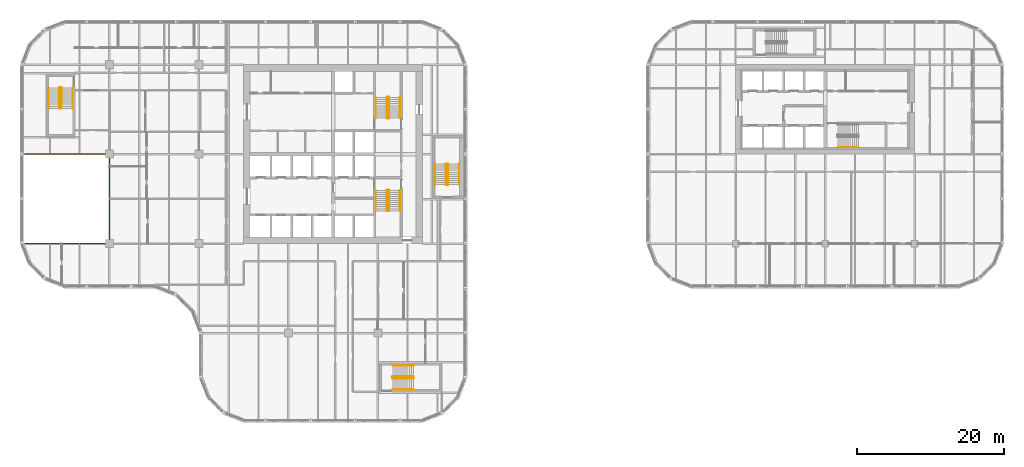
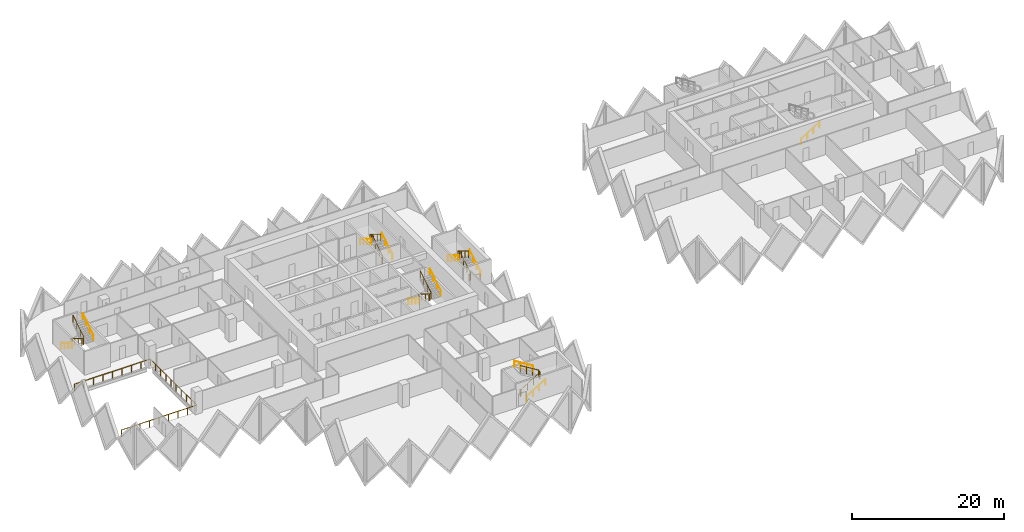
# One storey, part 17 of 18: 17 railings.
"""IFC4 building model written with IfcOpenShell, lengths in metres."""

from ifc_helpers import new_model, si_unit, direction, frame, origin, origin_2d, place, context, subcontext, project, spatial, circle, extrude, material, type_object, element, save


model = new_model("IFC4")

# Units and contexts
model_context = context("Model", 3, precision=1e-05, world=origin(), true_north=direction((0.0, 1.0)))
body_context = subcontext(model_context, "Body", "Model", "MODEL_VIEW")
ifc_project = project(units=[si_unit("LENGTHUNIT", "METRE"), si_unit("AREAUNIT", "SQUARE_METRE"), si_unit("VOLUMEUNIT", "CUBIC_METRE"), si_unit("PLANEANGLEUNIT", "RADIAN"), si_unit("MASSUNIT", "GRAM", prefix="KILO")], contexts=[model_context])

# Site, building, storey
site_placement = place(None, origin())
site = spatial("IfcSite", under=ifc_project, at=site_placement, CompositionType="ELEMENT")
building_placement = place(site_placement, origin())
building = spatial("IfcBuilding", under=site, at=building_placement, Name="Tessera Gate Towers", CompositionType="ELEMENT")
storey_placement = place(building_placement, frame((0.0, 0.0, 56.199951171875)))
storey = spatial("IfcBuildingStorey", under=building, at=storey_placement, Name="L13", CompositionType="ELEMENT", Elevation=56.199951171875)

# Railings
ifc_material_1 = material(Name="Toughened glass with stainless steel handrail", Category="steel")
railing_type_1 = type_object("IfcRailingType", Name="GUARD 1100 GLASS BALUSTRADE", PredefinedType="GUARDRAIL", material=ifc_material_1)
railing_1_placement = place(storey_placement, frame((0.750244140625, 24.39990234375, 0.0)))
element("IfcRailing", 1, at=railing_1_placement, inside=storey, type_object=railing_type_1, Name="Guard", PredefinedType="GUARDRAIL", context=body_context, shape_type="SweptSolid", body=[
    extrude(circle(Radius=0.02490234375, at=origin_2d()), frame((0.0, 0.0, 1.0751953125), z_axis=(1.0, 0.0, 0.0), x_axis=(0.0, 1.0, 0.0)), (0.0, 0.0, 1.0), 11.44970703125),
    extrude(circle(Radius=0.02490234375, at=origin_2d()), frame((11.44970703125, 0.0, 1.0751953125), z_axis=(0.0, 1.0, 0.0), x_axis=(-1.0, 0.0, 0.0)), (0.0, 0.0, 1.0), 12.2001953125),
    extrude(circle(Radius=0.02490234375, at=origin_2d()), frame((11.44970703125, 12.2001953125, 1.0751953125), z_axis=(-1.0, 0.0, 0.0), x_axis=(0.0, -1.0, 0.0)), (0.0, 0.0, 1.0), 11.5),
    extrude(circle(Radius=0.02490234375, at=origin_2d()), origin(), (0.0, 0.0, 1.0), 1.050048828125),
    extrude(circle(Radius=0.02490234375, at=origin_2d()), frame((1.43115234375, 0.0, 0.0)), (0.0, 0.0, 1.0), 1.050048828125),
    extrude(circle(Radius=0.02490234375, at=origin_2d()), frame((2.8623046875, 0.0, 0.0)), (0.0, 0.0, 1.0), 1.050048828125),
    extrude(circle(Radius=0.02490234375, at=origin_2d()), frame((4.293701171875, 0.0, 0.0)), (0.0, 0.0, 1.0), 1.050048828125),
    extrude(circle(Radius=0.02490234375, at=origin_2d()), frame((5.724853515625, 0.0, 0.0)), (0.0, 0.0, 1.0), 1.050048828125),
    extrude(circle(Radius=0.02490234375, at=origin_2d()), frame((7.156005859375, 0.0, 0.0)), (0.0, 0.0, 1.0), 1.050048828125),
    extrude(circle(Radius=0.02490234375, at=origin_2d()), frame((8.58740234375, 0.0, 0.0)), (0.0, 0.0, 1.0), 1.050048828125),
    extrude(circle(Radius=0.02490234375, at=origin_2d()), frame((10.0185546875, 0.0, 0.0)), (0.0, 0.0, 1.0), 1.050048828125),
    extrude(circle(Radius=0.02490234375, at=origin_2d()), frame((11.44970703125, 0.0, 0.0)), (0.0, 0.0, 1.0), 1.050048828125),
    extrude(circle(Radius=0.02490234375, at=origin_2d()), frame((11.44970703125, 1.35546875, 0.0)), (0.0, 0.0, 1.0), 1.050048828125),
    extrude(circle(Radius=0.02490234375, at=origin_2d()), frame((11.44970703125, 2.711181640625, 0.0)), (0.0, 0.0, 1.0), 1.050048828125),
    extrude(circle(Radius=0.02490234375, at=origin_2d()), frame((11.44970703125, 4.066650390625, 0.0)), (0.0, 0.0, 1.0), 1.050048828125),
    extrude(circle(Radius=0.02490234375, at=origin_2d()), frame((11.44970703125, 5.42236328125, 0.0)), (0.0, 0.0, 1.0), 1.050048828125),
    extrude(circle(Radius=0.02490234375, at=origin_2d()), frame((11.44970703125, 6.77783203125, 0.0)), (0.0, 0.0, 1.0), 1.050048828125),
    extrude(circle(Radius=0.02490234375, at=origin_2d()), frame((11.44970703125, 8.133544921875, 0.0)), (0.0, 0.0, 1.0), 1.050048828125),
    extrude(circle(Radius=0.02490234375, at=origin_2d()), frame((11.44970703125, 9.489013671875, 0.0)), (0.0, 0.0, 1.0), 1.050048828125),
    extrude(circle(Radius=0.02490234375, at=origin_2d()), frame((11.44970703125, 10.8447265625, 0.0)), (0.0, 0.0, 1.0), 1.050048828125),
    extrude(circle(Radius=0.02490234375, at=origin_2d()), frame((11.44970703125, 12.2001953125, 0.0)), (0.0, 0.0, 1.0), 1.050048828125),
    extrude(circle(Radius=0.02490234375, at=origin_2d()), frame((10.01220703125, 12.2001953125, 0.0)), (0.0, 0.0, 1.0), 1.050048828125),
    extrude(circle(Radius=0.02490234375, at=origin_2d()), frame((8.57470703125, 12.2001953125, 0.0)), (0.0, 0.0, 1.0), 1.050048828125),
    extrude(circle(Radius=0.02490234375, at=origin_2d()), frame((7.13720703125, 12.2001953125, 0.0)), (0.0, 0.0, 1.0), 1.050048828125),
    extrude(circle(Radius=0.02490234375, at=origin_2d()), frame((5.69970703125, 12.2001953125, 0.0)), (0.0, 0.0, 1.0), 1.050048828125),
    extrude(circle(Radius=0.02490234375, at=origin_2d()), frame((4.26220703125, 12.2001953125, 0.0)), (0.0, 0.0, 1.0), 1.050048828125),
    extrude(circle(Radius=0.02490234375, at=origin_2d()), frame((2.82470703125, 12.2001953125, 0.0)), (0.0, 0.0, 1.0), 1.050048828125),
    extrude(circle(Radius=0.02490234375, at=origin_2d()), frame((1.38720703125, 12.2001953125, 0.0)), (0.0, 0.0, 1.0), 1.050048828125),
    extrude(circle(Radius=0.02490234375, at=origin_2d()), frame((-0.05029296875, 12.2001953125, 0.0)), (0.0, 0.0, 1.0), 1.050048828125),
])
ifc_material_2 = material(Name="Steel 350W", Category="steel")
railing_type_2 = type_object("IfcRailingType", Name="STAIR GUARD 1100", PredefinedType="GUARDRAIL", material=ifc_material_2)
railing_2_placement = place(storey_placement, frame((50.27490234375, 31.72509765625, 0.0)))
element("IfcRailing", 2, at=railing_2_placement, inside=storey, type_object=railing_type_2, Name="L13 ST1 stair guard 1", PredefinedType="GUARDRAIL", context=body_context, shape_type="SweptSolid", body=[
    extrude(circle(Radius=0.02392578125, at=origin_2d()), frame((0.0, 0.0, 1.076171875), z_axis=(-1.0, 0.0, 0.0), x_axis=(0.0, -1.0, 0.0)), (0.0, 0.0, 1.0), 0.199951171875),
    extrude(circle(Radius=0.02392578125, at=origin_2d()), frame((-0.199951171875, 0.0, 1.076171875), z_axis=(-0.267953482034, -0.267953482034, 0.925419830635), x_axis=(0.707106781187, -0.707106781187, 0.0)), (0.0, 0.0, 1.0), 0.186767578125),
    extrude(circle(Radius=0.02392578125, at=origin_2d()), frame((-0.25, -0.050048828125, 1.2490234375), z_axis=(0.0, -0.851089632645, 0.525020415988), x_axis=(1.0, 0.0, 0.0)), (0.0, 0.0, 1.0), 3.2900390625),
    extrude(circle(Radius=0.02392578125, at=origin_2d()), frame((-0.25, -2.85009765625, 2.97607421875), z_axis=(0.707106781187, -0.707106781187, 0.0), x_axis=(0.707106781187, 0.707106781187, 0.0)), (0.0, 0.0, 1.0), 0.07080078125),
    extrude(circle(Radius=0.02392578125, at=origin_2d()), frame((-0.199951171875, -2.900146484375, 2.97607421875), z_axis=(1.0, 0.0, 0.0), x_axis=(0.0, 1.0, 0.0)), (0.0, 0.0, 1.0), 0.199951171875),
    extrude(circle(Radius=0.02392578125, at=origin_2d()), frame((0.0, -2.900146484375, 2.97607421875), z_axis=(0.268277960024, 0.268277960024, 0.925231793839), x_axis=(-0.707106781187, 0.707106781187, 0.0)), (0.0, 0.0, 1.0), 0.1865234375),
    extrude(circle(Radius=0.02392578125, at=origin_2d()), frame((0.050048828125, -2.85009765625, 3.14892578125), z_axis=(0.0, 0.851089632645, 0.525020415988), x_axis=(-1.0, 0.0, 0.0)), (0.0, 0.0, 1.0), 3.2900390625),
    extrude(circle(Radius=0.02099609375, at=origin_2d()), origin(), (0.0, 0.0, 1.0), 1.052001953125),
    extrude(circle(Radius=0.02099609375, at=origin_2d()), frame((-0.199951171875, 0.0, 0.0)), (0.0, 0.0, 1.0), 1.052001953125),
    extrude(circle(Radius=0.02099609375, at=origin_2d()), frame((-0.25, -0.050048828125, 0.1728515625)), (0.0, 0.0, 1.0), 1.052001953125),
    extrude(circle(Radius=0.02099609375, at=origin_2d()), frame((-0.25, -0.9833984375, 0.74853515625)), (0.0, 0.0, 1.0), 1.052001953125),
    extrude(circle(Radius=0.02099609375, at=origin_2d()), frame((-0.25, -1.916748046875, 1.324462890625)), (0.0, 0.0, 1.0), 1.052001953125),
    extrude(circle(Radius=0.02099609375, at=origin_2d()), frame((-0.25, -2.85009765625, 1.900146484375)), (0.0, 0.0, 1.0), 1.052001953125),
    extrude(circle(Radius=0.02099609375, at=origin_2d()), frame((-0.199951171875, -2.900146484375, 1.900146484375)), (0.0, 0.0, 1.0), 1.052001953125),
    extrude(circle(Radius=0.02099609375, at=origin_2d()), frame((0.0, -2.900146484375, 1.900146484375)), (0.0, 0.0, 1.0), 1.052001953125),
    extrude(circle(Radius=0.02099609375, at=origin_2d()), frame((0.050048828125, -2.85009765625, 2.07275390625)), (0.0, 0.0, 1.0), 1.052001953125),
    extrude(circle(Radius=0.02099609375, at=origin_2d()), frame((0.050048828125, -1.916748046875, 2.6484375)), (0.0, 0.0, 1.0), 1.052001953125),
    extrude(circle(Radius=0.02099609375, at=origin_2d()), frame((0.050048828125, -0.9833984375, 3.224365234375)), (0.0, 0.0, 1.0), 1.052001953125),
    extrude(circle(Radius=0.02099609375, at=origin_2d()), frame((0.050048828125, -0.050048828125, 3.800048828125)), (0.0, 0.0, 1.0), 1.052001953125),
])
railing_3_placement = place(storey_placement, frame((50.074951171875, 41.47509765625, 0.0)))
element("IfcRailing", 3, at=railing_3_placement, inside=storey, type_object=railing_type_2, Name="L13 ST2 stair guard 1", PredefinedType="GUARDRAIL", context=body_context, shape_type="SweptSolid", body=[
    extrude(circle(Radius=0.02392578125, at=origin_2d()), frame((0.0, 0.0, 1.076171875), z_axis=(1.0, 0.0, 0.0), x_axis=(0.0, 1.0, 0.0)), (0.0, 0.0, 1.0), 0.199951171875),
    extrude(circle(Radius=0.02392578125, at=origin_2d()), frame((0.199951171875, 0.0, 1.076171875), z_axis=(0.268047150085, 0.266739603011, 0.925743328097), x_axis=(-0.705375805398, 0.708833529934, 0.0)), (0.0, 0.0, 1.0), 0.186767578125),
    extrude(circle(Radius=0.02392578125, at=origin_2d()), frame((0.25, 0.0498046875, 1.2490234375), z_axis=(0.0, 0.851089632645, 0.525020415988), x_axis=(-1.0, 0.0, 0.0)), (0.0, 0.0, 1.0), 3.2900390625),
    extrude(circle(Radius=0.02392578125, at=origin_2d()), frame((0.25, 2.849853515625, 2.97607421875), z_axis=(-0.707106781187, 0.707106781187, 0.0), x_axis=(-0.707106781187, -0.707106781187, 0.0)), (0.0, 0.0, 1.0), 0.07080078125),
    extrude(circle(Radius=0.02392578125, at=origin_2d()), frame((0.199951171875, 2.89990234375, 2.97607421875), z_axis=(-1.0, 0.0, 0.0), x_axis=(0.0, -1.0, 0.0)), (0.0, 0.0, 1.0), 0.199951171875),
    extrude(circle(Radius=0.02392578125, at=origin_2d()), frame((0.0, 2.89990234375, 2.97607421875), z_axis=(-0.268277960024, -0.268277960024, 0.925231793839), x_axis=(0.707106781187, -0.707106781187, 0.0)), (0.0, 0.0, 1.0), 0.1865234375),
    extrude(circle(Radius=0.02392578125, at=origin_2d()), frame((-0.050048828125, 2.849853515625, 3.14892578125), z_axis=(0.0, -0.851089632645, 0.525020415988), x_axis=(1.0, 0.0, 0.0)), (0.0, 0.0, 1.0), 3.2900390625),
    extrude(circle(Radius=0.02099609375, at=origin_2d()), origin(), (0.0, 0.0, 1.0), 1.052001953125),
    extrude(circle(Radius=0.02099609375, at=origin_2d()), frame((0.199951171875, 0.0, 0.0)), (0.0, 0.0, 1.0), 1.052001953125),
    extrude(circle(Radius=0.02099609375, at=origin_2d()), frame((0.25, 0.0498046875, 0.1728515625)), (0.0, 0.0, 1.0), 1.052001953125),
    extrude(circle(Radius=0.02099609375, at=origin_2d()), frame((0.25, 0.983154296875, 0.74853515625)), (0.0, 0.0, 1.0), 1.052001953125),
    extrude(circle(Radius=0.02099609375, at=origin_2d()), frame((0.25, 1.91650390625, 1.324462890625)), (0.0, 0.0, 1.0), 1.052001953125),
    extrude(circle(Radius=0.02099609375, at=origin_2d()), frame((0.25, 2.849853515625, 1.900146484375)), (0.0, 0.0, 1.0), 1.052001953125),
    extrude(circle(Radius=0.02099609375, at=origin_2d()), frame((0.199951171875, 2.89990234375, 1.900146484375)), (0.0, 0.0, 1.0), 1.052001953125),
    extrude(circle(Radius=0.02099609375, at=origin_2d()), frame((0.0, 2.89990234375, 1.900146484375)), (0.0, 0.0, 1.0), 1.052001953125),
    extrude(circle(Radius=0.02099609375, at=origin_2d()), frame((-0.050048828125, 2.849853515625, 2.07275390625)), (0.0, 0.0, 1.0), 1.052001953125),
    extrude(circle(Radius=0.02099609375, at=origin_2d()), frame((-0.050048828125, 1.91650390625, 2.6484375)), (0.0, 0.0, 1.0), 1.052001953125),
    extrude(circle(Radius=0.02099609375, at=origin_2d()), frame((-0.050048828125, 0.983154296875, 3.224365234375)), (0.0, 0.0, 1.0), 1.052001953125),
    extrude(circle(Radius=0.02099609375, at=origin_2d()), frame((-0.050048828125, 0.0498046875, 3.800048828125)), (0.0, 0.0, 1.0), 1.052001953125),
])
railing_4_placement = place(storey_placement, frame((5.64990234375, 45.699951171875, 0.0)))
element("IfcRailing", 4, at=railing_4_placement, inside=storey, type_object=railing_type_2, Name="L13 ST3 stair guard 1", PredefinedType="GUARDRAIL", context=body_context, shape_type="SweptSolid", body=[
    extrude(circle(Radius=0.02392578125, at=origin_2d()), frame((0.0, 0.0, 1.076171875), z_axis=(-1.0, 0.0, 0.0), x_axis=(0.0, -1.0, 0.0)), (0.0, 0.0, 1.0), 0.199951171875),
    extrude(circle(Radius=0.02392578125, at=origin_2d()), frame((-0.199951171875, 0.0, 1.076171875), z_axis=(-0.267953482034, -0.267953482034, 0.925419830635), x_axis=(0.707106781187, -0.707106781187, 0.0)), (0.0, 0.0, 1.0), 0.186767578125),
    extrude(circle(Radius=0.02392578125, at=origin_2d()), frame((-0.25, -0.050048828125, 1.2490234375), z_axis=(0.0, -0.851069175582, 0.525053576669), x_axis=(1.0, 0.0, 0.0)), (0.0, 0.0, 1.0), 3.289794921875),
    extrude(circle(Radius=0.02392578125, at=origin_2d()), frame((-0.25, -2.849853515625, 2.97607421875), z_axis=(0.707106781187, -0.707106781187, 0.0), x_axis=(0.707106781187, 0.707106781187, 0.0)), (0.0, 0.0, 1.0), 0.07080078125),
    extrude(circle(Radius=0.02392578125, at=origin_2d()), frame((-0.199951171875, -2.89990234375, 2.97607421875), z_axis=(1.0, 0.0, 0.0), x_axis=(0.0, 1.0, 0.0)), (0.0, 0.0, 1.0), 0.199951171875),
    extrude(circle(Radius=0.02392578125, at=origin_2d()), frame((0.0, -2.89990234375, 2.97607421875), z_axis=(0.268277960024, 0.268277960024, 0.925231793839), x_axis=(-0.707106781187, 0.707106781187, 0.0)), (0.0, 0.0, 1.0), 0.1865234375),
    extrude(circle(Radius=0.02392578125, at=origin_2d()), frame((0.050048828125, -2.849853515625, 3.14892578125), z_axis=(0.0, 0.851069175582, 0.525053576669), x_axis=(-1.0, 0.0, 0.0)), (0.0, 0.0, 1.0), 3.289794921875),
    extrude(circle(Radius=0.02099609375, at=origin_2d()), origin(), (0.0, 0.0, 1.0), 1.052001953125),
    extrude(circle(Radius=0.02099609375, at=origin_2d()), frame((-0.199951171875, 0.0, 0.0)), (0.0, 0.0, 1.0), 1.052001953125),
    extrude(circle(Radius=0.02099609375, at=origin_2d()), frame((-0.25, -0.050048828125, 0.1728515625)), (0.0, 0.0, 1.0), 1.052001953125),
    extrude(circle(Radius=0.02099609375, at=origin_2d()), frame((-0.25, -0.9833984375, 0.74853515625)), (0.0, 0.0, 1.0), 1.052001953125),
    extrude(circle(Radius=0.02099609375, at=origin_2d()), frame((-0.25, -1.91650390625, 1.324462890625)), (0.0, 0.0, 1.0), 1.052001953125),
    extrude(circle(Radius=0.02099609375, at=origin_2d()), frame((-0.25, -2.849853515625, 1.900146484375)), (0.0, 0.0, 1.0), 1.052001953125),
    extrude(circle(Radius=0.02099609375, at=origin_2d()), frame((-0.199951171875, -2.89990234375, 1.900146484375)), (0.0, 0.0, 1.0), 1.052001953125),
    extrude(circle(Radius=0.02099609375, at=origin_2d()), frame((0.0, -2.89990234375, 1.900146484375)), (0.0, 0.0, 1.0), 1.052001953125),
    extrude(circle(Radius=0.02099609375, at=origin_2d()), frame((0.050048828125, -2.849853515625, 2.07275390625)), (0.0, 0.0, 1.0), 1.052001953125),
    extrude(circle(Radius=0.02099609375, at=origin_2d()), frame((0.050048828125, -1.91650390625, 2.6484375)), (0.0, 0.0, 1.0), 1.052001953125),
    extrude(circle(Radius=0.02099609375, at=origin_2d()), frame((0.050048828125, -0.9833984375, 3.224365234375)), (0.0, 0.0, 1.0), 1.052001953125),
    extrude(circle(Radius=0.02099609375, at=origin_2d()), frame((0.050048828125, -0.050048828125, 3.800048828125)), (0.0, 0.0, 1.0), 1.052001953125),
])
railing_5_placement = place(storey_placement, frame((50.800048828125, 6.25, 0.0)))
element("IfcRailing", 5, at=railing_5_placement, inside=storey, type_object=railing_type_2, Name="L13 ST4 stair guard 1", PredefinedType="GUARDRAIL", context=body_context, shape_type="SweptSolid", body=[
    extrude(circle(Radius=0.02392578125, at=origin_2d()), frame((0.0, 0.0, 1.076171875), z_axis=(0.0, -1.0, 0.0), x_axis=(1.0, 0.0, 0.0)), (0.0, 0.0, 1.0), 0.199951171875),
    extrude(circle(Radius=0.02392578125, at=origin_2d()), frame((0.0, -0.199951171875, 1.076171875), z_axis=(0.267953482034, -0.267953482034, 0.925419830635), x_axis=(0.707106781187, 0.707106781187, 0.0)), (0.0, 0.0, 1.0), 0.186767578125),
    extrude(circle(Radius=0.02392578125, at=origin_2d()), frame((0.050048828125, -0.25, 1.2490234375), z_axis=(0.851069175582, 0.0, 0.525053576669), x_axis=(0.0, 1.0, 0.0)), (0.0, 0.0, 1.0), 3.289794921875),
    extrude(circle(Radius=0.02392578125, at=origin_2d()), frame((2.849853515625, -0.25, 2.97607421875), z_axis=(0.707106781187, 0.707106781187, 0.0), x_axis=(-0.707106781187, 0.707106781187, 0.0)), (0.0, 0.0, 1.0), 0.07080078125),
    extrude(circle(Radius=0.02392578125, at=origin_2d()), frame((2.89990234375, -0.199951171875, 2.97607421875), z_axis=(0.0, 1.0, 0.0), x_axis=(-1.0, 0.0, 0.0)), (0.0, 0.0, 1.0), 0.199951171875),
    extrude(circle(Radius=0.02392578125, at=origin_2d()), frame((2.89990234375, 0.0, 2.97607421875), z_axis=(-0.268277960024, 0.268277960024, 0.925231793839), x_axis=(-0.707106781187, -0.707106781187, 0.0)), (0.0, 0.0, 1.0), 0.1865234375),
    extrude(circle(Radius=0.02392578125, at=origin_2d()), frame((2.849853515625, 0.050048828125, 3.14892578125), z_axis=(-0.851069175582, 0.0, 0.525053576669), x_axis=(0.0, -1.0, 0.0)), (0.0, 0.0, 1.0), 3.289794921875),
    extrude(circle(Radius=0.02099609375, at=origin_2d()), origin(), (0.0, 0.0, 1.0), 1.052001953125),
    extrude(circle(Radius=0.02099609375, at=origin_2d()), frame((0.0, -0.199951171875, 0.0)), (0.0, 0.0, 1.0), 1.052001953125),
    extrude(circle(Radius=0.02099609375, at=origin_2d()), frame((0.050048828125, -0.25, 0.1728515625)), (0.0, 0.0, 1.0), 1.052001953125),
    extrude(circle(Radius=0.02099609375, at=origin_2d()), frame((0.9833984375, -0.25, 0.74853515625)), (0.0, 0.0, 1.0), 1.052001953125),
    extrude(circle(Radius=0.02099609375, at=origin_2d()), frame((1.91650390625, -0.25, 1.324462890625)), (0.0, 0.0, 1.0), 1.052001953125),
    extrude(circle(Radius=0.02099609375, at=origin_2d()), frame((2.849853515625, -0.25, 1.900146484375)), (0.0, 0.0, 1.0), 1.052001953125),
    extrude(circle(Radius=0.02099609375, at=origin_2d()), frame((2.89990234375, -0.199951171875, 1.900146484375)), (0.0, 0.0, 1.0), 1.052001953125),
    extrude(circle(Radius=0.02099609375, at=origin_2d()), frame((2.89990234375, 0.0, 1.900146484375)), (0.0, 0.0, 1.0), 1.052001953125),
    extrude(circle(Radius=0.02099609375, at=origin_2d()), frame((2.849853515625, 0.050048828125, 2.07275390625)), (0.0, 0.0, 1.0), 1.052001953125),
    extrude(circle(Radius=0.02099609375, at=origin_2d()), frame((1.91650390625, 0.050048828125, 2.6484375)), (0.0, 0.0, 1.0), 1.052001953125),
    extrude(circle(Radius=0.02099609375, at=origin_2d()), frame((0.9833984375, 0.050048828125, 3.224365234375)), (0.0, 0.0, 1.0), 1.052001953125),
    extrude(circle(Radius=0.02099609375, at=origin_2d()), frame((0.050048828125, 0.050048828125, 3.800048828125)), (0.0, 0.0, 1.0), 1.052001953125),
])
railing_6_placement = place(storey_placement, frame((58.14990234375, 32.39990234375, 0.0)))
element("IfcRailing", 6, at=railing_6_placement, inside=storey, type_object=railing_type_2, Name="L13 ST5 stair guard 1", PredefinedType="GUARDRAIL", context=body_context, shape_type="SweptSolid", body=[
    extrude(circle(Radius=0.02392578125, at=origin_2d()), frame((0.0, 0.0, 1.076171875), z_axis=(1.0, 0.0, 0.0), x_axis=(0.0, 1.0, 0.0)), (0.0, 0.0, 1.0), 0.2001953125),
    extrude(circle(Radius=0.02392578125, at=origin_2d()), frame((0.2001953125, 0.0, 1.076171875), z_axis=(0.266739603011, 0.268047150085, 0.925743328097), x_axis=(-0.708833529934, 0.705375805398, 0.0)), (0.0, 0.0, 1.0), 0.186767578125),
    extrude(circle(Radius=0.02392578125, at=origin_2d()), frame((0.25, 0.050048828125, 1.2490234375), z_axis=(0.0, 0.851089632645, 0.525020415988), x_axis=(-1.0, 0.0, 0.0)), (0.0, 0.0, 1.0), 3.2900390625),
    extrude(circle(Radius=0.02392578125, at=origin_2d()), frame((0.25, 2.85009765625, 2.97607421875), z_axis=(-0.705375805398, 0.708833529934, 0.0), x_axis=(-0.708833529934, -0.705375805398, 0.0)), (0.0, 0.0, 1.0), 0.070556640625),
    extrude(circle(Radius=0.02392578125, at=origin_2d()), frame((0.2001953125, 2.900146484375, 2.97607421875), z_axis=(-1.0, 0.0, 0.0), x_axis=(0.0, -1.0, 0.0)), (0.0, 0.0, 1.0), 0.2001953125),
    extrude(circle(Radius=0.02392578125, at=origin_2d()), frame((0.0, 2.900146484375, 2.97607421875), z_axis=(-0.267062837333, -0.268371968888, 0.925556009775), x_axis=(0.708833529934, -0.705375805398, 0.0)), (0.0, 0.0, 1.0), 0.1865234375),
    extrude(circle(Radius=0.02392578125, at=origin_2d()), frame((-0.0498046875, 2.85009765625, 3.14892578125), z_axis=(0.0, -0.851089632645, 0.525020415988), x_axis=(1.0, 0.0, 0.0)), (0.0, 0.0, 1.0), 3.2900390625),
    extrude(circle(Radius=0.02099609375, at=origin_2d()), origin(), (0.0, 0.0, 1.0), 1.052001953125),
    extrude(circle(Radius=0.02099609375, at=origin_2d()), frame((0.2001953125, 0.0, 0.0)), (0.0, 0.0, 1.0), 1.052001953125),
    extrude(circle(Radius=0.02099609375, at=origin_2d()), frame((0.25, 0.050048828125, 0.1728515625)), (0.0, 0.0, 1.0), 1.052001953125),
    extrude(circle(Radius=0.02099609375, at=origin_2d()), frame((0.25, 0.9833984375, 0.74853515625)), (0.0, 0.0, 1.0), 1.052001953125),
    extrude(circle(Radius=0.02099609375, at=origin_2d()), frame((0.25, 1.916748046875, 1.324462890625)), (0.0, 0.0, 1.0), 1.052001953125),
    extrude(circle(Radius=0.02099609375, at=origin_2d()), frame((0.25, 2.85009765625, 1.900146484375)), (0.0, 0.0, 1.0), 1.052001953125),
    extrude(circle(Radius=0.02099609375, at=origin_2d()), frame((0.2001953125, 2.900146484375, 1.900146484375)), (0.0, 0.0, 1.0), 1.052001953125),
    extrude(circle(Radius=0.02099609375, at=origin_2d()), frame((0.0, 2.900146484375, 1.900146484375)), (0.0, 0.0, 1.0), 1.052001953125),
    extrude(circle(Radius=0.02099609375, at=origin_2d()), frame((-0.0498046875, 2.85009765625, 2.07275390625)), (0.0, 0.0, 1.0), 1.052001953125),
    extrude(circle(Radius=0.02099609375, at=origin_2d()), frame((-0.0498046875, 1.916748046875, 2.6484375)), (0.0, 0.0, 1.0), 1.052001953125),
    extrude(circle(Radius=0.02099609375, at=origin_2d()), frame((-0.0498046875, 0.9833984375, 3.224365234375)), (0.0, 0.0, 1.0), 1.052001953125),
    extrude(circle(Radius=0.02099609375, at=origin_2d()), frame((-0.0498046875, 0.050048828125, 3.800048828125)), (0.0, 0.0, 1.0), 1.052001953125),
])
ifc_material_3 = material(Name="Steel 350W", Category="steel")
railing_type_3 = type_object("IfcRailingType", Name="STAIR HANDRAIL 900", PredefinedType="HANDRAIL", material=ifc_material_3)
railing_7_placement = place(storey_placement, frame((48.52490234375, 31.675048828125, 0.1728515625)))
element("IfcRailing", 7, at=railing_7_placement, inside=storey, type_object=railing_type_3, Name="L13 ST1 stair handrail 1", PredefinedType="HANDRAIL", context=body_context, shape_type="SweptSolid", body=[
    extrude(circle(Radius=0.02392578125, at=origin_2d()), frame((0.0, 0.0, 0.8759765625), z_axis=(0.0, -0.851089632645, 0.525020415988), x_axis=(1.0, 0.0, 0.0)), (0.0, 0.0, 1.0), 3.2900390625),
    extrude(circle(Radius=0.02099609375, at=origin_2d()), origin(), (0.0, 0.0, 1.0), 0.851806640625),
    extrude(circle(Radius=0.02099609375, at=origin_2d()), frame((0.0, -0.933349609375, 0.57568359375)), (0.0, 0.0, 1.0), 0.851806640625),
    extrude(circle(Radius=0.02099609375, at=origin_2d()), frame((0.0, -1.86669921875, 1.151611328125)), (0.0, 0.0, 1.0), 0.851806640625),
    extrude(circle(Radius=0.02099609375, at=origin_2d()), frame((0.0, -2.800048828125, 1.727294921875)), (0.0, 0.0, 1.0), 0.851806640625),
])
for number, where, name in (
    (8, (51.824951171875, 28.875, 2.07275390625), "L13 ST1 stair handrail 2"),
    (9, (51.824951171875, 41.52490234375, 0.1728515625), "L13 ST2 stair handrail 1"),
):
    element("IfcRailing", number, at=place(storey_placement, frame(where)), inside=storey, type_object=railing_type_3, Name=name, PredefinedType="HANDRAIL", context=body_context, shape_type="SweptSolid", body=[
        extrude(circle(Radius=0.02392578125, at=origin_2d()), frame((0.0, 0.0, 0.8759765625), z_axis=(0.0, 0.851089632645, 0.525020415988), x_axis=(-1.0, 0.0, 0.0)), (0.0, 0.0, 1.0), 3.2900390625),
        extrude(circle(Radius=0.02099609375, at=origin_2d()), origin(), (0.0, 0.0, 1.0), 0.851806640625),
        extrude(circle(Radius=0.02099609375, at=origin_2d()), frame((0.0, 0.933349609375, 0.57568359375)), (0.0, 0.0, 1.0), 0.851806640625),
        extrude(circle(Radius=0.02099609375, at=origin_2d()), frame((0.0, 1.86669921875, 1.151611328125)), (0.0, 0.0, 1.0), 0.851806640625),
        extrude(circle(Radius=0.02099609375, at=origin_2d()), frame((0.0, 2.800048828125, 1.727294921875)), (0.0, 0.0, 1.0), 0.851806640625),
    ])
railing_8_placement = place(storey_placement, frame((48.52490234375, 44.324951171875, 2.07275390625)))
element("IfcRailing", 10, at=railing_8_placement, inside=storey, type_object=railing_type_3, Name="L13 ST2 stair handrail 2", PredefinedType="HANDRAIL", context=body_context, shape_type="SweptSolid", body=[
    extrude(circle(Radius=0.02392578125, at=origin_2d()), frame((0.0, 0.0, 0.8759765625), z_axis=(0.0, -0.851089632645, 0.525020415988), x_axis=(1.0, 0.0, 0.0)), (0.0, 0.0, 1.0), 3.2900390625),
    extrude(circle(Radius=0.02099609375, at=origin_2d()), origin(), (0.0, 0.0, 1.0), 0.851806640625),
    extrude(circle(Radius=0.02099609375, at=origin_2d()), frame((0.0, -0.933349609375, 0.57568359375)), (0.0, 0.0, 1.0), 0.851806640625),
    extrude(circle(Radius=0.02099609375, at=origin_2d()), frame((0.0, -1.86669921875, 1.151611328125)), (0.0, 0.0, 1.0), 0.851806640625),
    extrude(circle(Radius=0.02099609375, at=origin_2d()), frame((0.0, -2.800048828125, 1.727294921875)), (0.0, 0.0, 1.0), 0.851806640625),
])
railing_9_placement = place(storey_placement, frame((3.89990234375, 45.64990234375, 0.1728515625)))
element("IfcRailing", 11, at=railing_9_placement, inside=storey, type_object=railing_type_3, Name="L13 ST3 stair handrail 1", PredefinedType="HANDRAIL", context=body_context, shape_type="SweptSolid", body=[
    extrude(circle(Radius=0.02392578125, at=origin_2d()), frame((0.0, 0.0, 0.8759765625), z_axis=(0.0, -0.851069175582, 0.525053576669), x_axis=(1.0, 0.0, 0.0)), (0.0, 0.0, 1.0), 3.289794921875),
    extrude(circle(Radius=0.02099609375, at=origin_2d()), origin(), (0.0, 0.0, 1.0), 0.851806640625),
    extrude(circle(Radius=0.02099609375, at=origin_2d()), frame((0.0, -0.933349609375, 0.57568359375)), (0.0, 0.0, 1.0), 0.851806640625),
    extrude(circle(Radius=0.02099609375, at=origin_2d()), frame((0.0, -1.866455078125, 1.151611328125)), (0.0, 0.0, 1.0), 0.851806640625),
    extrude(circle(Radius=0.02099609375, at=origin_2d()), frame((0.0, -2.7998046875, 1.727294921875)), (0.0, 0.0, 1.0), 0.851806640625),
])
railing_10_placement = place(storey_placement, frame((7.199951171875, 42.85009765625, 2.07275390625)))
element("IfcRailing", 12, at=railing_10_placement, inside=storey, type_object=railing_type_3, Name="L13 ST3 stair handrail 2", PredefinedType="HANDRAIL", context=body_context, shape_type="SweptSolid", body=[
    extrude(circle(Radius=0.02392578125, at=origin_2d()), frame((0.0, 0.0, 0.8759765625), z_axis=(0.0, 0.851069175582, 0.525053576669), x_axis=(-1.0, 0.0, 0.0)), (0.0, 0.0, 1.0), 3.289794921875),
    extrude(circle(Radius=0.02099609375, at=origin_2d()), origin(), (0.0, 0.0, 1.0), 0.851806640625),
    extrude(circle(Radius=0.02099609375, at=origin_2d()), frame((0.0, 0.933349609375, 0.57568359375)), (0.0, 0.0, 1.0), 0.851806640625),
    extrude(circle(Radius=0.02099609375, at=origin_2d()), frame((0.0, 1.866455078125, 1.151611328125)), (0.0, 0.0, 1.0), 0.851806640625),
    extrude(circle(Radius=0.02099609375, at=origin_2d()), frame((0.0, 2.7998046875, 1.727294921875)), (0.0, 0.0, 1.0), 0.851806640625),
])
railing_11_placement = place(storey_placement, frame((50.85009765625, 4.5, 0.1728515625)))
element("IfcRailing", 13, at=railing_11_placement, inside=storey, type_object=railing_type_3, Name="L13 ST4 stair handrail 1", PredefinedType="HANDRAIL", context=body_context, shape_type="SweptSolid", body=[
    extrude(circle(Radius=0.02392578125, at=origin_2d()), frame((0.0, 0.0, 0.8759765625), z_axis=(0.851069175582, 0.0, 0.525053576669), x_axis=(0.0, 1.0, 0.0)), (0.0, 0.0, 1.0), 3.289794921875),
    extrude(circle(Radius=0.02099609375, at=origin_2d()), origin(), (0.0, 0.0, 1.0), 0.851806640625),
    extrude(circle(Radius=0.02099609375, at=origin_2d()), frame((0.933349609375, 0.0, 0.57568359375)), (0.0, 0.0, 1.0), 0.851806640625),
    extrude(circle(Radius=0.02099609375, at=origin_2d()), frame((1.866455078125, 0.0, 1.151611328125)), (0.0, 0.0, 1.0), 0.851806640625),
    extrude(circle(Radius=0.02099609375, at=origin_2d()), frame((2.7998046875, 0.0, 1.727294921875)), (0.0, 0.0, 1.0), 0.851806640625),
])
railing_12_placement = place(storey_placement, frame((53.64990234375, 7.800048828125, 2.07275390625)))
element("IfcRailing", 14, at=railing_12_placement, inside=storey, type_object=railing_type_3, Name="L13 ST4 stair handrail 2", PredefinedType="HANDRAIL", context=body_context, shape_type="SweptSolid", body=[
    extrude(circle(Radius=0.02392578125, at=origin_2d()), frame((0.0, 0.0, 0.8759765625), z_axis=(-0.851069175582, 0.0, 0.525053576669), x_axis=(0.0, -1.0, 0.0)), (0.0, 0.0, 1.0), 3.289794921875),
    extrude(circle(Radius=0.02099609375, at=origin_2d()), origin(), (0.0, 0.0, 1.0), 0.851806640625),
    extrude(circle(Radius=0.02099609375, at=origin_2d()), frame((-0.933349609375, 0.0, 0.57568359375)), (0.0, 0.0, 1.0), 0.851806640625),
    extrude(circle(Radius=0.02099609375, at=origin_2d()), frame((-1.866455078125, 0.0, 1.151611328125)), (0.0, 0.0, 1.0), 0.851806640625),
    extrude(circle(Radius=0.02099609375, at=origin_2d()), frame((-2.7998046875, 0.0, 1.727294921875)), (0.0, 0.0, 1.0), 0.851806640625),
])
railing_13_placement = place(storey_placement, frame((59.89990234375, 32.449951171875, 0.1728515625)))
element("IfcRailing", 15, at=railing_13_placement, inside=storey, type_object=railing_type_3, Name="L13 ST5 stair handrail 1", PredefinedType="HANDRAIL", context=body_context, shape_type="SweptSolid", body=[
    extrude(circle(Radius=0.02392578125, at=origin_2d()), frame((0.0, 0.0, 0.8759765625), z_axis=(0.0, 0.851089632645, 0.525020415988), x_axis=(-1.0, 0.0, 0.0)), (0.0, 0.0, 1.0), 3.2900390625),
    extrude(circle(Radius=0.02099609375, at=origin_2d()), origin(), (0.0, 0.0, 1.0), 0.851806640625),
    extrude(circle(Radius=0.02099609375, at=origin_2d()), frame((0.0, 0.933349609375, 0.57568359375)), (0.0, 0.0, 1.0), 0.851806640625),
    extrude(circle(Radius=0.02099609375, at=origin_2d()), frame((0.0, 1.86669921875, 1.151611328125)), (0.0, 0.0, 1.0), 0.851806640625),
    extrude(circle(Radius=0.02099609375, at=origin_2d()), frame((0.0, 2.800048828125, 1.727294921875)), (0.0, 0.0, 1.0), 0.851806640625),
])
railing_14_placement = place(storey_placement, frame((56.60009765625, 35.25, 2.07275390625)))
element("IfcRailing", 16, at=railing_14_placement, inside=storey, type_object=railing_type_3, Name="L13 ST5 stair handrail 2", PredefinedType="HANDRAIL", context=body_context, shape_type="SweptSolid", body=[
    extrude(circle(Radius=0.02392578125, at=origin_2d()), frame((0.0, 0.0, 0.8759765625), z_axis=(0.0, -0.851089632645, 0.525020415988), x_axis=(1.0, 0.0, 0.0)), (0.0, 0.0, 1.0), 3.2900390625),
    extrude(circle(Radius=0.02099609375, at=origin_2d()), origin(), (0.0, 0.0, 1.0), 0.851806640625),
    extrude(circle(Radius=0.02099609375, at=origin_2d()), frame((0.0, -0.933349609375, 0.57568359375)), (0.0, 0.0, 1.0), 0.851806640625),
    extrude(circle(Radius=0.02099609375, at=origin_2d()), frame((0.0, -1.86669921875, 1.151611328125)), (0.0, 0.0, 1.0), 0.851806640625),
    extrude(circle(Radius=0.02099609375, at=origin_2d()), frame((0.0, -2.800048828125, 1.727294921875)), (0.0, 0.0, 1.0), 0.851806640625),
])
railing_15_placement = place(storey_placement, frame((111.550048828125, 37.550048828125, 0.1728515625)))
element("IfcRailing", 17, at=railing_15_placement, inside=storey, type_object=railing_type_3, Name="L13 ST6 stair handrail 1", PredefinedType="HANDRAIL", context=body_context, shape_type="SweptSolid", body=[
    extrude(circle(Radius=0.02392578125, at=origin_2d()), frame((0.0, 0.0, 0.8759765625), z_axis=(0.851089632645, 0.0, 0.525020415988), x_axis=(0.0, 1.0, 0.0)), (0.0, 0.0, 1.0), 3.2900390625),
    extrude(circle(Radius=0.02099609375, at=origin_2d()), origin(), (0.0, 0.0, 1.0), 0.851806640625),
    extrude(circle(Radius=0.02099609375, at=origin_2d()), frame((0.933349609375, 0.0, 0.57568359375)), (0.0, 0.0, 1.0), 0.851806640625),
    extrude(circle(Radius=0.02099609375, at=origin_2d()), frame((1.86669921875, 0.0, 1.151611328125)), (0.0, 0.0, 1.0), 0.851806640625),
    extrude(circle(Radius=0.02099609375, at=origin_2d()), frame((2.800048828125, 0.0, 1.727294921875)), (0.0, 0.0, 1.0), 0.851806640625),
])

save(model, "model.ifc")
